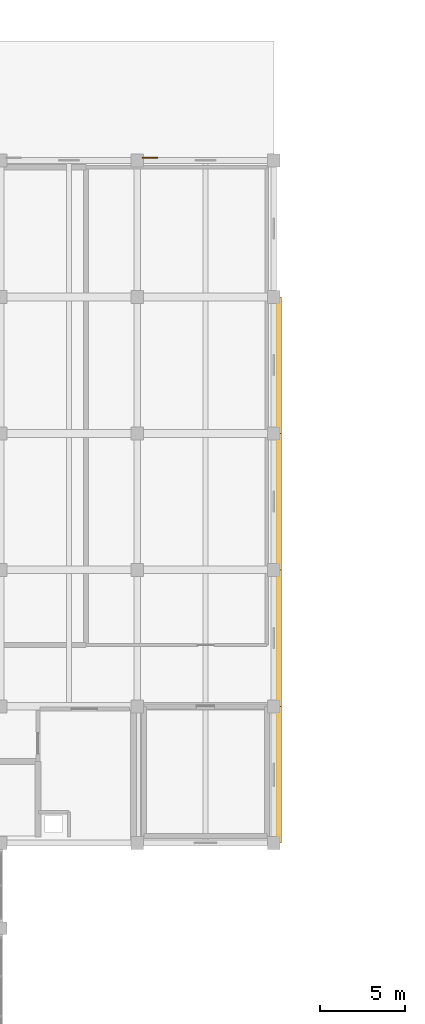
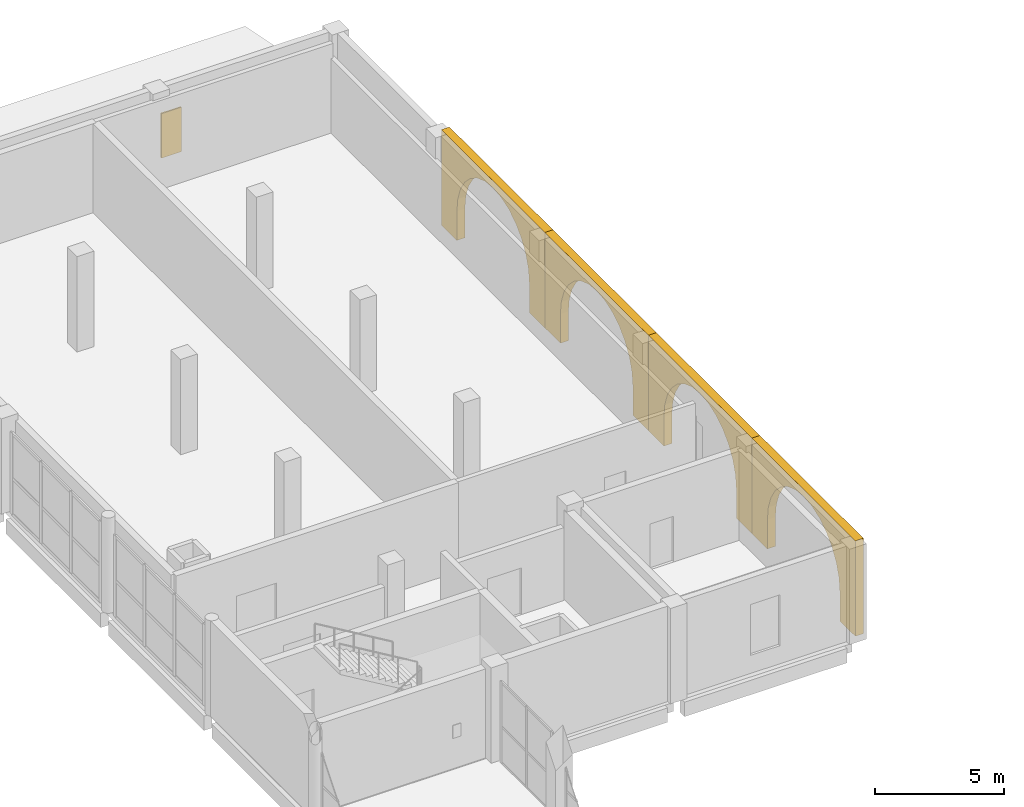
# One storey, part 52 of 53: 4 coverings, 1 shading device.
"""IFC4 building model written with IfcOpenShell, lengths in metres."""

from ifc_helpers import new_model, si_unit, direction, frame, origin, origin_2d, place, context, subcontext, project, spatial, polyline, rectangle, outline, extrude, material, layer, layer_set, type_object, element, save


model = new_model("IFC4")

# Units and contexts
model_context = context("Model", 3, precision=1e-05, world=origin(), true_north=direction((0.0, 1.0)))
body_context = subcontext(model_context, "Body", "Model", "MODEL_VIEW")
ifc_project = project(units=[si_unit("LENGTHUNIT", "METRE"), si_unit("AREAUNIT", "SQUARE_METRE"), si_unit("VOLUMEUNIT", "CUBIC_METRE"), si_unit("PLANEANGLEUNIT", "RADIAN"), si_unit("MASSUNIT", "GRAM", prefix="KILO")], contexts=[model_context])

# Site, building, storey
site_placement = place(None, origin())
site = spatial("IfcSite", under=ifc_project, at=site_placement, CompositionType="ELEMENT")
building_placement = place(site_placement, origin())
building = spatial("IfcBuilding", under=site, at=building_placement, Name="Qorikala Patio Media Centre", CompositionType="ELEMENT")
storey_placement = place(building_placement, frame((0.0, 0.0, 5.39990234375)))
storey = spatial("IfcBuildingStorey", under=building, at=storey_placement, Name="L01", CompositionType="ELEMENT", Elevation=5.39990234375)

# Coverings
ifc_material_1 = material(Name="Comanche Granite Ashlar Stone", Category="masonry")
ifc_layer_1 = layer(ifc_material_1, 0.06005859375)
ifc_layer_set_1 = layer_set([ifc_layer_1], Name="Comanche Granite Ashlar Stone")
covering_type = type_object("IfcCoveringType", Name="COV-CLAD-STONE", PredefinedType="CLADDING", material=ifc_layer_set_1)
for number, where, z_axis, x_axis, name in (
    (1, (75.280029296875, 64.0, 0.0), (0.0, 0.0, 1.0), (0.0, 1.0, 0.0), "Spanish Colonial Stone Arched Arcade UARC-V5E-1"),
    (2, (75.280029296875, 72.0, 0.0), (0.0, 0.0, 1.0), (0.0, 1.0, 0.0), "Spanish Colonial Stone Arched Arcade UARC-V5E-2"),
    (3, (75.280029296875, 80.0, 0.0), (0.0, 0.0, 1.0), (0.0, 1.0, 0.0), "Spanish Colonial Stone Arched Arcade UARC-V5E-3"),
    (4, (75.280029296875, 88.0, 0.0), (0.0, 0.0, 1.0), (0.0, 1.0, 0.0), "Spanish Colonial Stone Arched Arcade UARC-V5E-4"),
):
    element("IfcCovering", number, at=place(storey_placement, frame(where, z_axis=z_axis, x_axis=x_axis)), inside=storey, type_object=covering_type, Name=name, PredefinedType="CLADDING", context=body_context, shape_type="SweptSolid", body=[
        extrude(outline(polyline([(0.0, 0.0), (1.199951171875, 0.0), (1.199951171875, 1.3798828125), (1.270263671875, 2.003173828125), (1.477294921875, 2.594970703125), (1.810791015625, 3.125732421875), (2.254150390625, 3.569091796875), (2.78515625, 3.902587890625), (3.376953125, 4.10986328125), (4.0, 4.179931640625), (4.623046875, 4.10986328125), (5.21484375, 3.902587890625), (5.745849609375, 3.569091796875), (6.189208984375, 3.125732421875), (6.522705078125, 2.594970703125), (6.729736328125, 2.003173828125), (6.800048828125, 1.3798828125), (6.800048828125, 0.0), (8.0, 0.0), (8.0, 4.5), (0.0, 4.5), (0.0, 0.0)])), frame((0.0, 0.18017578125, 0.0), z_axis=(0.0, -1.0, 0.0), x_axis=(1.0, 0.0, 0.0)), (0.0, 0.0, 1.0), 0.360107421875),
    ])

# Shading device
ifc_material_2 = material(Name="Golden Bronze Anodised Aluminium", Category="aluminium")
ifc_layer_2 = layer(ifc_material_2, 0.06005859375)
ifc_layer_set_2 = layer_set([ifc_layer_2], Name="Golden Bronze Anodised Aluminium")
shading_device_type = type_object("IfcShadingDeviceType", Name="SHD-SHUTTER", PredefinedType="SHUTTER", material=ifc_layer_set_2)
shading_device_placement = place(storey_placement, frame((67.75, 104.1650390625, 0.949951171875), z_axis=(0.0, 0.0, 1.0), x_axis=(1.0, 0.0, 0.0)))
element("IfcShadingDevice", 5, at=shading_device_placement, inside=storey, type_object=shading_device_type, Name="L01 Colonial Bronze Sun Shutter 008", PredefinedType="SHUTTER", context=body_context, shape_type="SweptSolid", body=[
    extrude(rectangle(XDim=0.89990234375, YDim=0.06005859375, at=origin_2d()), origin(), (0.0, 0.0, 1.0), 2.10009765625),
])

save(model, "model.ifc")
